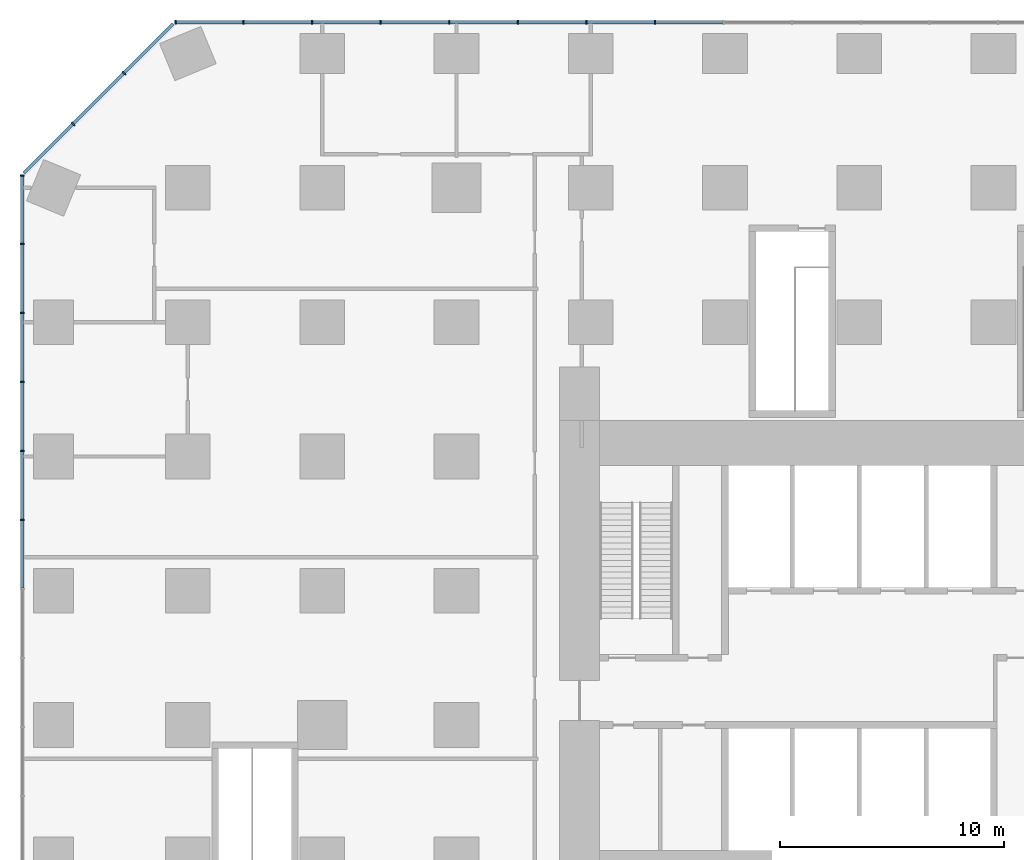
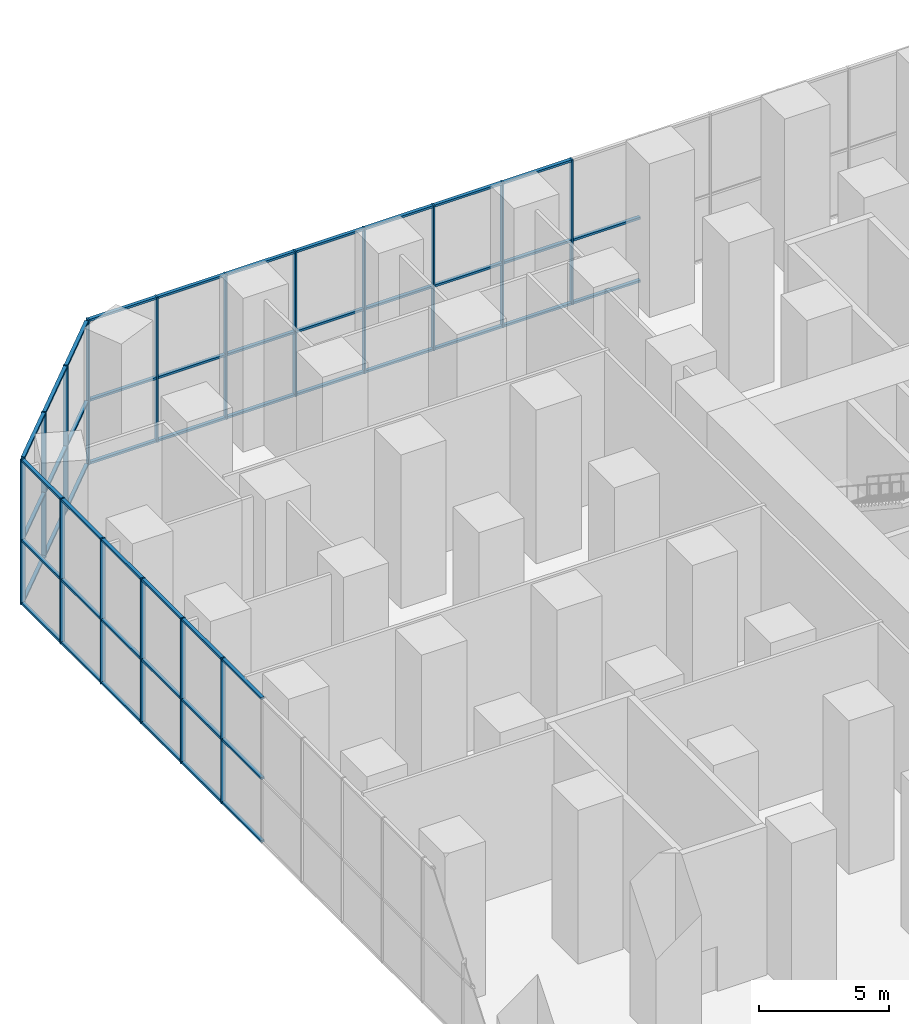
# One storey, part 5 of 16: 66 members, 3 elements without a shape of their own.
"""IFC4 building model written with IfcOpenShell, lengths in metres."""

from ifc_helpers import new_model, si_unit, direction, frame, origin, origin_2d, place, context, subcontext, project, spatial, rectangle, extrude, material, layer, layer_set, material_profile, profile_set, type_object, element, aggregate, save


model = new_model("IFC4")

# Units and contexts
model_context = context("Model", 3, precision=1e-05, world=origin(), true_north=direction((0.0, 1.0)))
body_context = subcontext(model_context, "Body", "Model", "MODEL_VIEW")
ifc_project = project(units=[si_unit("LENGTHUNIT", "METRE"), si_unit("AREAUNIT", "SQUARE_METRE"), si_unit("VOLUMEUNIT", "CUBIC_METRE"), si_unit("PLANEANGLEUNIT", "RADIAN"), si_unit("MASSUNIT", "GRAM", prefix="KILO")], contexts=[model_context])

# Site, building, storey
site_placement = place(None, origin())
site = spatial("IfcSite", under=ifc_project, at=site_placement, CompositionType="ELEMENT")
building_placement = place(site_placement, origin())
building = spatial("IfcBuilding", under=site, at=building_placement, Name="Highveld Stack Headquarters", CompositionType="ELEMENT")
storey_placement = place(building_placement, frame((0.0, 0.0, 11.0)))
storey = spatial("IfcBuildingStorey", under=building, at=storey_placement, Name="L02", CompositionType="ELEMENT", Elevation=11.0)

# Curtain wall, members
ifc_material_1 = material(Name="Aluminium bronze anodised", Category="aluminium")
ifc_layer = layer(ifc_material_1, 0.199951171875)
ifc_layer_set = layer_set([ifc_layer], Name="Aluminium bronze anodised")
curtain_wall_type = type_object("IfcCurtainWallType", Name="CW3 PODIUM STICK CURTAIN WALL", PredefinedType="NOTDEFINED", material=ifc_layer_set)
curtain_wall_1_placement = place(storey_placement, origin())
curtain_wall_1 = element("IfcCurtainWall", 1, at=curtain_wall_1_placement, inside=storey, type_object=curtain_wall_type, Name="Curtain wall CW3 L02 N", PredefinedType="NOTDEFINED")
ifc_material_2 = material(Name="Aluminium bronze anodised", Category="aluminium")
ifc_material_profile_1 = material_profile(ifc_material_2, rectangle(XDim=0.199951171875, YDim=0.06494140625, at=origin_2d()), Name="CW3 MULLION 65x200")
ifc_profile_set_1 = profile_set([ifc_material_profile_1], Name="Aluminium bronze anodised")
member_type_1 = type_object("IfcMemberType", Name="CW3 MULLION 65x200", PredefinedType="MULLION", material=ifc_profile_set_1)
member_1_placement = place(storey_placement, frame((-3.12890625, 31.39990234375, 0.0), z_axis=(0.0, 0.0, 1.0), x_axis=(0.0, -1.0, 0.0)))
member_1 = element("IfcMember", 2, at=member_1_placement, type_object=member_type_1, Name="CW3 mullion L02 12", PredefinedType="MULLION", context=body_context, shape_type="SweptSolid", body=[
    extrude(rectangle(XDim=0.199951171875, YDim=0.06494140625, at=origin_2d()), origin(), (0.0, 0.0, 1.0), 6.800048828125),
])
member_2_placement = place(storey_placement, frame((-6.193359375, 31.39990234375, 0.0), z_axis=(0.0, 0.0, 1.0), x_axis=(0.0, -1.0, 0.0)))
member_2 = element("IfcMember", 3, at=member_2_placement, type_object=member_type_1, Name="CW3 mullion L02 13", PredefinedType="MULLION", context=body_context, shape_type="SweptSolid", body=[
    extrude(rectangle(XDim=0.199951171875, YDim=0.06494140625, at=origin_2d()), origin(), (0.0, 0.0, 1.0), 6.800048828125),
])
member_3_placement = place(storey_placement, frame((-9.2578125, 31.39990234375, 0.0), z_axis=(0.0, 0.0, 1.0), x_axis=(0.0, -1.0, 0.0)))
member_3 = element("IfcMember", 4, at=member_3_placement, type_object=member_type_1, Name="CW3 mullion L02 14", PredefinedType="MULLION", context=body_context, shape_type="SweptSolid", body=[
    extrude(rectangle(XDim=0.199951171875, YDim=0.06494140625, at=origin_2d()), origin(), (0.0, 0.0, 1.0), 6.800048828125),
])
member_4_placement = place(storey_placement, frame((-12.322265625, 31.39990234375, 0.0), z_axis=(0.0, 0.0, 1.0), x_axis=(0.0, -1.0, 0.0)))
member_4 = element("IfcMember", 5, at=member_4_placement, type_object=member_type_1, Name="CW3 mullion L02 15", PredefinedType="MULLION", context=body_context, shape_type="SweptSolid", body=[
    extrude(rectangle(XDim=0.199951171875, YDim=0.06494140625, at=origin_2d()), origin(), (0.0, 0.0, 1.0), 6.800048828125),
])
member_5_placement = place(storey_placement, frame((-15.38671875, 31.39990234375, 0.0), z_axis=(0.0, 0.0, 1.0), x_axis=(0.0, -1.0, 0.0)))
member_5 = element("IfcMember", 6, at=member_5_placement, type_object=member_type_1, Name="CW3 mullion L02 16", PredefinedType="MULLION", context=body_context, shape_type="SweptSolid", body=[
    extrude(rectangle(XDim=0.199951171875, YDim=0.06494140625, at=origin_2d()), origin(), (0.0, 0.0, 1.0), 6.800048828125),
])
member_6_placement = place(storey_placement, frame((-18.450927734375, 31.39990234375, 0.0), z_axis=(0.0, 0.0, 1.0), x_axis=(0.0, -1.0, 0.0)))
member_6 = element("IfcMember", 7, at=member_6_placement, type_object=member_type_1, Name="CW3 mullion L02 17", PredefinedType="MULLION", context=body_context, shape_type="SweptSolid", body=[
    extrude(rectangle(XDim=0.199951171875, YDim=0.06494140625, at=origin_2d()), origin(), (0.0, 0.0, 1.0), 6.800048828125),
])
member_7_placement = place(storey_placement, frame((-21.515380859375, 31.39990234375, 0.0), z_axis=(0.0, 0.0, 1.0), x_axis=(0.0, -1.0, 0.0)))
member_7 = element("IfcMember", 8, at=member_7_placement, type_object=member_type_1, Name="CW3 mullion L02 18", PredefinedType="MULLION", context=body_context, shape_type="SweptSolid", body=[
    extrude(rectangle(XDim=0.199951171875, YDim=0.06494140625, at=origin_2d()), origin(), (0.0, 0.0, 1.0), 6.800048828125),
])
member_8_placement = place(storey_placement, frame((-24.54736328125, 31.39990234375, 0.0), z_axis=(0.0, 0.0, 1.0), x_axis=(0.0, -1.0, 0.0)))
member_8 = element("IfcMember", 9, at=member_8_placement, type_object=member_type_1, Name="CW3 mullion L02 19", PredefinedType="MULLION", context=body_context, shape_type="SweptSolid", body=[
    extrude(rectangle(XDim=0.199951171875, YDim=0.06494140625, at=origin_2d()), origin(), (0.0, 0.0, 1.0), 6.800048828125),
])

curtain_wall_2_placement = place(storey_placement, origin())
curtain_wall_2 = element("IfcCurtainWall", 10, at=curtain_wall_2_placement, inside=storey, type_object=curtain_wall_type, Name="Curtain wall CW3 L02 NW", PredefinedType="NOTDEFINED")
member_9_placement = place(storey_placement, frame((-26.853271484375, 29.126708984375, 0.0), z_axis=(0.0, 0.0, 1.0), x_axis=(0.707106781187, -0.707106781187, 0.0)))
member_9 = element("IfcMember", 11, at=member_9_placement, type_object=member_type_1, Name="CW3 mullion L02 1", PredefinedType="MULLION", context=body_context, shape_type="SweptSolid", body=[
    extrude(rectangle(XDim=0.199951171875, YDim=0.06494140625, at=origin_2d()), origin(), (0.0, 0.0, 1.0), 6.800048828125),
])
member_10_placement = place(storey_placement, frame((-29.126708984375, 26.853271484375, 0.0), z_axis=(0.0, 0.0, 1.0), x_axis=(0.707106781187, -0.707106781187, 0.0)))
member_10 = element("IfcMember", 12, at=member_10_placement, type_object=member_type_1, Name="CW3 mullion L02 2", PredefinedType="MULLION", context=body_context, shape_type="SweptSolid", body=[
    extrude(rectangle(XDim=0.199951171875, YDim=0.06494140625, at=origin_2d()), origin(), (0.0, 0.0, 1.0), 6.800048828125),
])

curtain_wall_3_placement = place(storey_placement, origin())
curtain_wall_3 = element("IfcCurtainWall", 13, at=curtain_wall_3_placement, inside=storey, type_object=curtain_wall_type, Name="Curtain wall CW3 L02 W", PredefinedType="NOTDEFINED")
member_11_placement = place(storey_placement, frame((-31.39990234375, 24.54736328125, 0.0), z_axis=(0.0, 0.0, 1.0), x_axis=(1.0, 0.0, 0.0)))
member_11 = element("IfcMember", 14, at=member_11_placement, type_object=member_type_1, Name="CW3 mullion L02 1", PredefinedType="MULLION", context=body_context, shape_type="SweptSolid", body=[
    extrude(rectangle(XDim=0.199951171875, YDim=0.06494140625, at=origin_2d()), origin(), (0.0, 0.0, 1.0), 6.800048828125),
])
member_12_placement = place(storey_placement, frame((-31.39990234375, 21.4970703125, 0.0), z_axis=(0.0, 0.0, 1.0), x_axis=(1.0, 0.0, 0.0)))
member_12 = element("IfcMember", 15, at=member_12_placement, type_object=member_type_1, Name="CW3 mullion L02 2", PredefinedType="MULLION", context=body_context, shape_type="SweptSolid", body=[
    extrude(rectangle(XDim=0.199951171875, YDim=0.06494140625, at=origin_2d()), origin(), (0.0, 0.0, 1.0), 6.800048828125),
])
member_13_placement = place(storey_placement, frame((-31.39990234375, 18.414306640625, 0.0), z_axis=(0.0, 0.0, 1.0), x_axis=(1.0, 0.0, 0.0)))
member_13 = element("IfcMember", 16, at=member_13_placement, type_object=member_type_1, Name="CW3 mullion L02 3", PredefinedType="MULLION", context=body_context, shape_type="SweptSolid", body=[
    extrude(rectangle(XDim=0.199951171875, YDim=0.06494140625, at=origin_2d()), origin(), (0.0, 0.0, 1.0), 6.800048828125),
])
member_14_placement = place(storey_placement, frame((-31.39990234375, 15.331298828125, 0.0), z_axis=(0.0, 0.0, 1.0), x_axis=(1.0, 0.0, 0.0)))
member_14 = element("IfcMember", 17, at=member_14_placement, type_object=member_type_1, Name="CW3 mullion L02 4", PredefinedType="MULLION", context=body_context, shape_type="SweptSolid", body=[
    extrude(rectangle(XDim=0.199951171875, YDim=0.06494140625, at=origin_2d()), origin(), (0.0, 0.0, 1.0), 6.800048828125),
])
member_15_placement = place(storey_placement, frame((-31.39990234375, 12.24853515625, 0.0), z_axis=(0.0, 0.0, 1.0), x_axis=(1.0, 0.0, 0.0)))
member_15 = element("IfcMember", 18, at=member_15_placement, type_object=member_type_1, Name="CW3 mullion L02 5", PredefinedType="MULLION", context=body_context, shape_type="SweptSolid", body=[
    extrude(rectangle(XDim=0.199951171875, YDim=0.06494140625, at=origin_2d()), origin(), (0.0, 0.0, 1.0), 6.800048828125),
])
member_16_placement = place(storey_placement, frame((-31.39990234375, 9.165771484375, 0.0), z_axis=(0.0, 0.0, 1.0), x_axis=(1.0, 0.0, 0.0)))
member_16 = element("IfcMember", 19, at=member_16_placement, type_object=member_type_1, Name="CW3 mullion L02 6", PredefinedType="MULLION", context=body_context, shape_type="SweptSolid", body=[
    extrude(rectangle(XDim=0.199951171875, YDim=0.06494140625, at=origin_2d()), origin(), (0.0, 0.0, 1.0), 6.800048828125),
])

# Member
ifc_material_3 = material(Name="Aluminium bronze anodised", Category="aluminium")
ifc_material_profile_2 = material_profile(ifc_material_3, rectangle(XDim=0.14990234375, YDim=0.10009765625, at=origin_2d()), Name="CW3 TRANSOM 150x100")
ifc_profile_set_2 = profile_set([ifc_material_profile_2], Name="Aluminium bronze anodised")
member_type_2 = type_object("IfcMemberType", Name="CW3 STACK TRANSOM 150x100", PredefinedType="USERDEFINED", material=ifc_profile_set_2)
member_17_placement = place(storey_placement, frame((-0.096923828125, 31.39990234375, 0.050048828125), z_axis=(-1.0, 0.0, 0.0), x_axis=(0.0, -1.0, 0.0)))
member_17 = element("IfcMember", 20, at=member_17_placement, type_object=member_type_2, Name="CW3 transom L02 11.1", ObjectType="TRANSOM", PredefinedType="USERDEFINED", context=body_context, shape_type="SweptSolid", body=[
    extrude(rectangle(XDim=0.14990234375, YDim=0.10009765625, at=origin_2d()), origin(), (0.0, 0.0, 1.0), 2.99951171875),
])

member_18_placement = place(storey_placement, frame((-0.096923828125, 31.39990234375, 3.0), z_axis=(-1.0, 0.0, 0.0), x_axis=(0.0, -1.0, 0.0)))
member_18 = element("IfcMember", 21, at=member_18_placement, type_object=member_type_2, Name="CW3 transom L02 11.2", ObjectType="TRANSOM", PredefinedType="USERDEFINED", context=body_context, shape_type="SweptSolid", body=[
    extrude(rectangle(XDim=0.14990234375, YDim=0.10009765625, at=origin_2d()), origin(), (0.0, 0.0, 1.0), 2.99951171875),
])

member_19_placement = place(storey_placement, frame((-3.161376953125, 31.39990234375, 0.050048828125), z_axis=(-1.0, 0.0, 0.0), x_axis=(0.0, -1.0, 0.0)))
member_19 = element("IfcMember", 22, at=member_19_placement, type_object=member_type_2, Name="CW3 transom L02 12.1", ObjectType="TRANSOM", PredefinedType="USERDEFINED", context=body_context, shape_type="SweptSolid", body=[
    extrude(rectangle(XDim=0.14990234375, YDim=0.10009765625, at=origin_2d()), origin(), (0.0, 0.0, 1.0), 2.99951171875),
])

member_20_placement = place(storey_placement, frame((-3.161376953125, 31.39990234375, 3.0), z_axis=(-1.0, 0.0, 0.0), x_axis=(0.0, -1.0, 0.0)))
member_20 = element("IfcMember", 23, at=member_20_placement, type_object=member_type_2, Name="CW3 transom L02 12.2", ObjectType="TRANSOM", PredefinedType="USERDEFINED", context=body_context, shape_type="SweptSolid", body=[
    extrude(rectangle(XDim=0.14990234375, YDim=0.10009765625, at=origin_2d()), origin(), (0.0, 0.0, 1.0), 2.99951171875),
])

member_21_placement = place(storey_placement, frame((-3.161376953125, 31.39990234375, 6.75), z_axis=(-1.0, 0.0, 0.0), x_axis=(0.0, -1.0, 0.0)))
member_21 = element("IfcMember", 24, at=member_21_placement, type_object=member_type_2, Name="CW3 transom L02 12.3", ObjectType="TRANSOM", PredefinedType="USERDEFINED", context=body_context, shape_type="SweptSolid", body=[
    extrude(rectangle(XDim=0.14990234375, YDim=0.10009765625, at=origin_2d()), origin(), (0.0, 0.0, 1.0), 2.99951171875),
])

member_22_placement = place(storey_placement, frame((-6.225830078125, 31.39990234375, 0.050048828125), z_axis=(-1.0, 0.0, 0.0), x_axis=(0.0, -1.0, 0.0)))
member_22 = element("IfcMember", 25, at=member_22_placement, type_object=member_type_2, Name="CW3 transom L02 13.1", ObjectType="TRANSOM", PredefinedType="USERDEFINED", context=body_context, shape_type="SweptSolid", body=[
    extrude(rectangle(XDim=0.14990234375, YDim=0.10009765625, at=origin_2d()), origin(), (0.0, 0.0, 1.0), 2.999267578125),
])

member_23_placement = place(storey_placement, frame((-6.225830078125, 31.39990234375, 3.0), z_axis=(-1.0, 0.0, 0.0), x_axis=(0.0, -1.0, 0.0)))
member_23 = element("IfcMember", 26, at=member_23_placement, type_object=member_type_2, Name="CW3 transom L02 13.2", ObjectType="TRANSOM", PredefinedType="USERDEFINED", context=body_context, shape_type="SweptSolid", body=[
    extrude(rectangle(XDim=0.14990234375, YDim=0.10009765625, at=origin_2d()), origin(), (0.0, 0.0, 1.0), 2.999267578125),
])

member_24_placement = place(storey_placement, frame((-6.225830078125, 31.39990234375, 6.75), z_axis=(-1.0, 0.0, 0.0), x_axis=(0.0, -1.0, 0.0)))
member_24 = element("IfcMember", 27, at=member_24_placement, type_object=member_type_2, Name="CW3 transom L02 13.3", ObjectType="TRANSOM", PredefinedType="USERDEFINED", context=body_context, shape_type="SweptSolid", body=[
    extrude(rectangle(XDim=0.14990234375, YDim=0.10009765625, at=origin_2d()), origin(), (0.0, 0.0, 1.0), 2.999267578125),
])

member_25_placement = place(storey_placement, frame((-9.290283203125, 31.39990234375, 0.050048828125), z_axis=(-1.0, 0.0, 0.0), x_axis=(0.0, -1.0, 0.0)))
member_25 = element("IfcMember", 28, at=member_25_placement, type_object=member_type_2, Name="CW3 transom L02 14.1", ObjectType="TRANSOM", PredefinedType="USERDEFINED", context=body_context, shape_type="SweptSolid", body=[
    extrude(rectangle(XDim=0.14990234375, YDim=0.10009765625, at=origin_2d()), origin(), (0.0, 0.0, 1.0), 2.99951171875),
])

member_26_placement = place(storey_placement, frame((-9.290283203125, 31.39990234375, 3.0), z_axis=(-1.0, 0.0, 0.0), x_axis=(0.0, -1.0, 0.0)))
member_26 = element("IfcMember", 29, at=member_26_placement, type_object=member_type_2, Name="CW3 transom L02 14.2", ObjectType="TRANSOM", PredefinedType="USERDEFINED", context=body_context, shape_type="SweptSolid", body=[
    extrude(rectangle(XDim=0.14990234375, YDim=0.10009765625, at=origin_2d()), origin(), (0.0, 0.0, 1.0), 2.99951171875),
])

member_27_placement = place(storey_placement, frame((-9.290283203125, 31.39990234375, 6.75), z_axis=(-1.0, 0.0, 0.0), x_axis=(0.0, -1.0, 0.0)))
member_27 = element("IfcMember", 30, at=member_27_placement, type_object=member_type_2, Name="CW3 transom L02 14.3", ObjectType="TRANSOM", PredefinedType="USERDEFINED", context=body_context, shape_type="SweptSolid", body=[
    extrude(rectangle(XDim=0.14990234375, YDim=0.10009765625, at=origin_2d()), origin(), (0.0, 0.0, 1.0), 2.99951171875),
])

member_28_placement = place(storey_placement, frame((-12.354736328125, 31.39990234375, 0.050048828125), z_axis=(-1.0, 0.0, 0.0), x_axis=(0.0, -1.0, 0.0)))
member_28 = element("IfcMember", 31, at=member_28_placement, type_object=member_type_2, Name="CW3 transom L02 15.1", ObjectType="TRANSOM", PredefinedType="USERDEFINED", context=body_context, shape_type="SweptSolid", body=[
    extrude(rectangle(XDim=0.14990234375, YDim=0.10009765625, at=origin_2d()), origin(), (0.0, 0.0, 1.0), 2.999267578125),
])

member_29_placement = place(storey_placement, frame((-12.354736328125, 31.39990234375, 3.0), z_axis=(-1.0, 0.0, 0.0), x_axis=(0.0, -1.0, 0.0)))
member_29 = element("IfcMember", 32, at=member_29_placement, type_object=member_type_2, Name="CW3 transom L02 15.2", ObjectType="TRANSOM", PredefinedType="USERDEFINED", context=body_context, shape_type="SweptSolid", body=[
    extrude(rectangle(XDim=0.14990234375, YDim=0.10009765625, at=origin_2d()), origin(), (0.0, 0.0, 1.0), 2.999267578125),
])

member_30_placement = place(storey_placement, frame((-12.354736328125, 31.39990234375, 6.75), z_axis=(-1.0, 0.0, 0.0), x_axis=(0.0, -1.0, 0.0)))
member_30 = element("IfcMember", 33, at=member_30_placement, type_object=member_type_2, Name="CW3 transom L02 15.3", ObjectType="TRANSOM", PredefinedType="USERDEFINED", context=body_context, shape_type="SweptSolid", body=[
    extrude(rectangle(XDim=0.14990234375, YDim=0.10009765625, at=origin_2d()), origin(), (0.0, 0.0, 1.0), 2.999267578125),
])

member_31_placement = place(storey_placement, frame((-15.419189453125, 31.39990234375, 0.050048828125), z_axis=(-1.0, 0.0, 0.0), x_axis=(0.0, -1.0, 0.0)))
member_31 = element("IfcMember", 34, at=member_31_placement, type_object=member_type_2, Name="CW3 transom L02 16.1", ObjectType="TRANSOM", PredefinedType="USERDEFINED", context=body_context, shape_type="SweptSolid", body=[
    extrude(rectangle(XDim=0.14990234375, YDim=0.10009765625, at=origin_2d()), origin(), (0.0, 0.0, 1.0), 2.999267578125),
])

member_32_placement = place(storey_placement, frame((-15.419189453125, 31.39990234375, 3.0), z_axis=(-1.0, 0.0, 0.0), x_axis=(0.0, -1.0, 0.0)))
member_32 = element("IfcMember", 35, at=member_32_placement, type_object=member_type_2, Name="CW3 transom L02 16.2", ObjectType="TRANSOM", PredefinedType="USERDEFINED", context=body_context, shape_type="SweptSolid", body=[
    extrude(rectangle(XDim=0.14990234375, YDim=0.10009765625, at=origin_2d()), origin(), (0.0, 0.0, 1.0), 2.999267578125),
])

member_33_placement = place(storey_placement, frame((-15.419189453125, 31.39990234375, 6.75), z_axis=(-1.0, 0.0, 0.0), x_axis=(0.0, -1.0, 0.0)))
member_33 = element("IfcMember", 36, at=member_33_placement, type_object=member_type_2, Name="CW3 transom L02 16.3", ObjectType="TRANSOM", PredefinedType="USERDEFINED", context=body_context, shape_type="SweptSolid", body=[
    extrude(rectangle(XDim=0.14990234375, YDim=0.10009765625, at=origin_2d()), origin(), (0.0, 0.0, 1.0), 2.999267578125),
])

member_34_placement = place(storey_placement, frame((-18.4833984375, 31.39990234375, 0.050048828125), z_axis=(-1.0, 0.0, 0.0), x_axis=(0.0, -1.0, 0.0)))
member_34 = element("IfcMember", 37, at=member_34_placement, type_object=member_type_2, Name="CW3 transom L02 17.1", ObjectType="TRANSOM", PredefinedType="USERDEFINED", context=body_context, shape_type="SweptSolid", body=[
    extrude(rectangle(XDim=0.14990234375, YDim=0.10009765625, at=origin_2d()), origin(), (0.0, 0.0, 1.0), 2.99951171875),
])

member_35_placement = place(storey_placement, frame((-18.4833984375, 31.39990234375, 3.0), z_axis=(-1.0, 0.0, 0.0), x_axis=(0.0, -1.0, 0.0)))
member_35 = element("IfcMember", 38, at=member_35_placement, type_object=member_type_2, Name="CW3 transom L02 17.2", ObjectType="TRANSOM", PredefinedType="USERDEFINED", context=body_context, shape_type="SweptSolid", body=[
    extrude(rectangle(XDim=0.14990234375, YDim=0.10009765625, at=origin_2d()), origin(), (0.0, 0.0, 1.0), 2.99951171875),
])

member_36_placement = place(storey_placement, frame((-18.4833984375, 31.39990234375, 6.75), z_axis=(-1.0, 0.0, 0.0), x_axis=(0.0, -1.0, 0.0)))
member_36 = element("IfcMember", 39, at=member_36_placement, type_object=member_type_2, Name="CW3 transom L02 17.3", ObjectType="TRANSOM", PredefinedType="USERDEFINED", context=body_context, shape_type="SweptSolid", body=[
    extrude(rectangle(XDim=0.14990234375, YDim=0.10009765625, at=origin_2d()), origin(), (0.0, 0.0, 1.0), 2.99951171875),
])

member_37_placement = place(storey_placement, frame((-21.548095703125, 31.39990234375, 0.050048828125), z_axis=(-1.0, 0.0, 0.0), x_axis=(0.0, -1.0, 0.0)))
member_37 = element("IfcMember", 40, at=member_37_placement, type_object=member_type_2, Name="CW3 transom L02 18.1", ObjectType="TRANSOM", PredefinedType="USERDEFINED", context=body_context, shape_type="SweptSolid", body=[
    extrude(rectangle(XDim=0.14990234375, YDim=0.10009765625, at=origin_2d()), origin(), (0.0, 0.0, 1.0), 2.966796875),
])

member_38_placement = place(storey_placement, frame((-21.548095703125, 31.39990234375, 3.0), z_axis=(-1.0, 0.0, 0.0), x_axis=(0.0, -1.0, 0.0)))
member_38 = element("IfcMember", 41, at=member_38_placement, type_object=member_type_2, Name="CW3 transom L02 18.2", ObjectType="TRANSOM", PredefinedType="USERDEFINED", context=body_context, shape_type="SweptSolid", body=[
    extrude(rectangle(XDim=0.14990234375, YDim=0.10009765625, at=origin_2d()), origin(), (0.0, 0.0, 1.0), 2.966796875),
])

member_39_placement = place(storey_placement, frame((-21.548095703125, 31.39990234375, 6.75), z_axis=(-1.0, 0.0, 0.0), x_axis=(0.0, -1.0, 0.0)))
member_39 = element("IfcMember", 42, at=member_39_placement, type_object=member_type_2, Name="CW3 transom L02 18.3", ObjectType="TRANSOM", PredefinedType="USERDEFINED", context=body_context, shape_type="SweptSolid", body=[
    extrude(rectangle(XDim=0.14990234375, YDim=0.10009765625, at=origin_2d()), origin(), (0.0, 0.0, 1.0), 2.966796875),
])

aggregate(curtain_wall_1, [member_1, member_2, member_3, member_4, member_5, member_6, member_7, member_8, member_17, member_18, member_19, member_20, member_21, member_22, member_23, member_24, member_25, member_26, member_27, member_28, member_29, member_30, member_31, member_32, member_33, member_34, member_35, member_36, member_37, member_38, member_39])

member_40_placement = place(storey_placement, frame((-24.650634765625, 31.329345703125, 0.050048828125), z_axis=(-0.707106781187, -0.707106781187, 0.0), x_axis=(0.707106781187, -0.707106781187, 0.0)))
member_40 = element("IfcMember", 43, at=member_40_placement, type_object=member_type_2, Name="CW3 transom L02 1.1", ObjectType="TRANSOM", PredefinedType="USERDEFINED", context=body_context, shape_type="SweptSolid", body=[
    extrude(rectangle(XDim=0.14990234375, YDim=0.10009765625, at=origin_2d()), origin(), (0.0, 0.0, 1.0), 3.08251953125),
])

member_41_placement = place(storey_placement, frame((-24.650634765625, 31.329345703125, 3.0), z_axis=(-0.707106781187, -0.707106781187, 0.0), x_axis=(0.707106781187, -0.707106781187, 0.0)))
member_41 = element("IfcMember", 44, at=member_41_placement, type_object=member_type_2, Name="CW3 transom L02 1.2", ObjectType="TRANSOM", PredefinedType="USERDEFINED", context=body_context, shape_type="SweptSolid", body=[
    extrude(rectangle(XDim=0.14990234375, YDim=0.10009765625, at=origin_2d()), origin(), (0.0, 0.0, 1.0), 3.08251953125),
])

member_42_placement = place(storey_placement, frame((-24.650634765625, 31.329345703125, 6.75), z_axis=(-0.707106781187, -0.707106781187, 0.0), x_axis=(0.707106781187, -0.707106781187, 0.0)))
member_42 = element("IfcMember", 45, at=member_42_placement, type_object=member_type_2, Name="CW3 transom L02 1.3", ObjectType="TRANSOM", PredefinedType="USERDEFINED", context=body_context, shape_type="SweptSolid", body=[
    extrude(rectangle(XDim=0.14990234375, YDim=0.10009765625, at=origin_2d()), origin(), (0.0, 0.0, 1.0), 3.08251953125),
])

member_43_placement = place(storey_placement, frame((-26.876220703125, 29.103759765625, 0.050048828125), z_axis=(-0.707106781187, -0.707106781187, 0.0), x_axis=(0.707106781187, -0.707106781187, 0.0)))
member_43 = element("IfcMember", 46, at=member_43_placement, type_object=member_type_2, Name="CW3 transom L02 2.1", ObjectType="TRANSOM", PredefinedType="USERDEFINED", context=body_context, shape_type="SweptSolid", body=[
    extrude(rectangle(XDim=0.14990234375, YDim=0.10009765625, at=origin_2d()), origin(), (0.0, 0.0, 1.0), 3.150146484375),
])

member_44_placement = place(storey_placement, frame((-26.876220703125, 29.103759765625, 3.0), z_axis=(-0.707106781187, -0.707106781187, 0.0), x_axis=(0.707106781187, -0.707106781187, 0.0)))
member_44 = element("IfcMember", 47, at=member_44_placement, type_object=member_type_2, Name="CW3 transom L02 2.2", ObjectType="TRANSOM", PredefinedType="USERDEFINED", context=body_context, shape_type="SweptSolid", body=[
    extrude(rectangle(XDim=0.14990234375, YDim=0.10009765625, at=origin_2d()), origin(), (0.0, 0.0, 1.0), 3.150146484375),
])

member_45_placement = place(storey_placement, frame((-26.876220703125, 29.103759765625, 6.75), z_axis=(-0.707106781187, -0.707106781187, 0.0), x_axis=(0.707106781187, -0.707106781187, 0.0)))
member_45 = element("IfcMember", 48, at=member_45_placement, type_object=member_type_2, Name="CW3 transom L02 2.3", ObjectType="TRANSOM", PredefinedType="USERDEFINED", context=body_context, shape_type="SweptSolid", body=[
    extrude(rectangle(XDim=0.14990234375, YDim=0.10009765625, at=origin_2d()), origin(), (0.0, 0.0, 1.0), 3.150146484375),
])

member_46_placement = place(storey_placement, frame((-29.149658203125, 26.830322265625, 0.050048828125), z_axis=(-0.707106781187, -0.707106781187, 0.0), x_axis=(0.707106781187, -0.707106781187, 0.0)))
member_46 = element("IfcMember", 49, at=member_46_placement, type_object=member_type_2, Name="CW3 transom L02 3.1", ObjectType="TRANSOM", PredefinedType="USERDEFINED", context=body_context, shape_type="SweptSolid", body=[
    extrude(rectangle(XDim=0.14990234375, YDim=0.10009765625, at=origin_2d()), origin(), (0.0, 0.0, 1.0), 3.08251953125),
])

member_47_placement = place(storey_placement, frame((-29.149658203125, 26.830322265625, 3.0), z_axis=(-0.707106781187, -0.707106781187, 0.0), x_axis=(0.707106781187, -0.707106781187, 0.0)))
member_47 = element("IfcMember", 50, at=member_47_placement, type_object=member_type_2, Name="CW3 transom L02 3.2", ObjectType="TRANSOM", PredefinedType="USERDEFINED", context=body_context, shape_type="SweptSolid", body=[
    extrude(rectangle(XDim=0.14990234375, YDim=0.10009765625, at=origin_2d()), origin(), (0.0, 0.0, 1.0), 3.08251953125),
])

member_48_placement = place(storey_placement, frame((-29.149658203125, 26.830322265625, 6.75), z_axis=(-0.707106781187, -0.707106781187, 0.0), x_axis=(0.707106781187, -0.707106781187, 0.0)))
member_48 = element("IfcMember", 51, at=member_48_placement, type_object=member_type_2, Name="CW3 transom L02 3.3", ObjectType="TRANSOM", PredefinedType="USERDEFINED", context=body_context, shape_type="SweptSolid", body=[
    extrude(rectangle(XDim=0.14990234375, YDim=0.10009765625, at=origin_2d()), origin(), (0.0, 0.0, 1.0), 3.08251953125),
])

aggregate(curtain_wall_2, [member_9, member_10, member_40, member_41, member_42, member_43, member_44, member_45, member_46, member_47, member_48])

member_49_placement = place(storey_placement, frame((-31.39990234375, 24.514892578125, 0.050048828125), z_axis=(0.0, -1.0, 0.0), x_axis=(1.0, 0.0, 0.0)))
member_49 = element("IfcMember", 52, at=member_49_placement, type_object=member_type_2, Name="CW3 transom L02 1.1", ObjectType="TRANSOM", PredefinedType="USERDEFINED", context=body_context, shape_type="SweptSolid", body=[
    extrude(rectangle(XDim=0.14990234375, YDim=0.10009765625, at=origin_2d()), origin(), (0.0, 0.0, 1.0), 2.9853515625),
])

member_50_placement = place(storey_placement, frame((-31.39990234375, 24.514892578125, 3.0), z_axis=(0.0, -1.0, 0.0), x_axis=(1.0, 0.0, 0.0)))
member_50 = element("IfcMember", 53, at=member_50_placement, type_object=member_type_2, Name="CW3 transom L02 1.2", ObjectType="TRANSOM", PredefinedType="USERDEFINED", context=body_context, shape_type="SweptSolid", body=[
    extrude(rectangle(XDim=0.14990234375, YDim=0.10009765625, at=origin_2d()), origin(), (0.0, 0.0, 1.0), 2.9853515625),
])

member_51_placement = place(storey_placement, frame((-31.39990234375, 24.514892578125, 6.75), z_axis=(0.0, -1.0, 0.0), x_axis=(1.0, 0.0, 0.0)))
member_51 = element("IfcMember", 54, at=member_51_placement, type_object=member_type_2, Name="CW3 transom L02 1.3", ObjectType="TRANSOM", PredefinedType="USERDEFINED", context=body_context, shape_type="SweptSolid", body=[
    extrude(rectangle(XDim=0.14990234375, YDim=0.10009765625, at=origin_2d()), origin(), (0.0, 0.0, 1.0), 2.9853515625),
])

member_52_placement = place(storey_placement, frame((-31.39990234375, 21.464599609375, 0.050048828125), z_axis=(0.0, -1.0, 0.0), x_axis=(1.0, 0.0, 0.0)))
member_52 = element("IfcMember", 55, at=member_52_placement, type_object=member_type_2, Name="CW3 transom L02 2.1", ObjectType="TRANSOM", PredefinedType="USERDEFINED", context=body_context, shape_type="SweptSolid", body=[
    extrude(rectangle(XDim=0.14990234375, YDim=0.10009765625, at=origin_2d()), origin(), (0.0, 0.0, 1.0), 3.017822265625),
])

member_53_placement = place(storey_placement, frame((-31.39990234375, 21.464599609375, 3.0), z_axis=(0.0, -1.0, 0.0), x_axis=(1.0, 0.0, 0.0)))
member_53 = element("IfcMember", 56, at=member_53_placement, type_object=member_type_2, Name="CW3 transom L02 2.2", ObjectType="TRANSOM", PredefinedType="USERDEFINED", context=body_context, shape_type="SweptSolid", body=[
    extrude(rectangle(XDim=0.14990234375, YDim=0.10009765625, at=origin_2d()), origin(), (0.0, 0.0, 1.0), 3.017822265625),
])

member_54_placement = place(storey_placement, frame((-31.39990234375, 21.464599609375, 6.75), z_axis=(0.0, -1.0, 0.0), x_axis=(1.0, 0.0, 0.0)))
member_54 = element("IfcMember", 57, at=member_54_placement, type_object=member_type_2, Name="CW3 transom L02 2.3", ObjectType="TRANSOM", PredefinedType="USERDEFINED", context=body_context, shape_type="SweptSolid", body=[
    extrude(rectangle(XDim=0.14990234375, YDim=0.10009765625, at=origin_2d()), origin(), (0.0, 0.0, 1.0), 3.017822265625),
])

member_55_placement = place(storey_placement, frame((-31.39990234375, 18.381591796875, 0.050048828125), z_axis=(0.0, -1.0, 0.0), x_axis=(1.0, 0.0, 0.0)))
member_55 = element("IfcMember", 58, at=member_55_placement, type_object=member_type_2, Name="CW3 transom L02 3.1", ObjectType="TRANSOM", PredefinedType="USERDEFINED", context=body_context, shape_type="SweptSolid", body=[
    extrude(rectangle(XDim=0.14990234375, YDim=0.10009765625, at=origin_2d()), origin(), (0.0, 0.0, 1.0), 3.017578125),
])

member_56_placement = place(storey_placement, frame((-31.39990234375, 18.381591796875, 3.0), z_axis=(0.0, -1.0, 0.0), x_axis=(1.0, 0.0, 0.0)))
member_56 = element("IfcMember", 59, at=member_56_placement, type_object=member_type_2, Name="CW3 transom L02 3.2", ObjectType="TRANSOM", PredefinedType="USERDEFINED", context=body_context, shape_type="SweptSolid", body=[
    extrude(rectangle(XDim=0.14990234375, YDim=0.10009765625, at=origin_2d()), origin(), (0.0, 0.0, 1.0), 3.017578125),
])

member_57_placement = place(storey_placement, frame((-31.39990234375, 18.381591796875, 6.75), z_axis=(0.0, -1.0, 0.0), x_axis=(1.0, 0.0, 0.0)))
member_57 = element("IfcMember", 60, at=member_57_placement, type_object=member_type_2, Name="CW3 transom L02 3.3", ObjectType="TRANSOM", PredefinedType="USERDEFINED", context=body_context, shape_type="SweptSolid", body=[
    extrude(rectangle(XDim=0.14990234375, YDim=0.10009765625, at=origin_2d()), origin(), (0.0, 0.0, 1.0), 3.017578125),
])

member_58_placement = place(storey_placement, frame((-31.39990234375, 15.298828125, 0.050048828125), z_axis=(0.0, -1.0, 0.0), x_axis=(1.0, 0.0, 0.0)))
member_58 = element("IfcMember", 61, at=member_58_placement, type_object=member_type_2, Name="CW3 transom L02 4.1", ObjectType="TRANSOM", PredefinedType="USERDEFINED", context=body_context, shape_type="SweptSolid", body=[
    extrude(rectangle(XDim=0.14990234375, YDim=0.10009765625, at=origin_2d()), origin(), (0.0, 0.0, 1.0), 3.017822265625),
])

member_59_placement = place(storey_placement, frame((-31.39990234375, 15.298828125, 3.0), z_axis=(0.0, -1.0, 0.0), x_axis=(1.0, 0.0, 0.0)))
member_59 = element("IfcMember", 62, at=member_59_placement, type_object=member_type_2, Name="CW3 transom L02 4.2", ObjectType="TRANSOM", PredefinedType="USERDEFINED", context=body_context, shape_type="SweptSolid", body=[
    extrude(rectangle(XDim=0.14990234375, YDim=0.10009765625, at=origin_2d()), origin(), (0.0, 0.0, 1.0), 3.017822265625),
])

member_60_placement = place(storey_placement, frame((-31.39990234375, 15.298828125, 6.75), z_axis=(0.0, -1.0, 0.0), x_axis=(1.0, 0.0, 0.0)))
member_60 = element("IfcMember", 63, at=member_60_placement, type_object=member_type_2, Name="CW3 transom L02 4.3", ObjectType="TRANSOM", PredefinedType="USERDEFINED", context=body_context, shape_type="SweptSolid", body=[
    extrude(rectangle(XDim=0.14990234375, YDim=0.10009765625, at=origin_2d()), origin(), (0.0, 0.0, 1.0), 3.017822265625),
])

member_61_placement = place(storey_placement, frame((-31.39990234375, 12.216064453125, 0.050048828125), z_axis=(0.0, -1.0, 0.0), x_axis=(1.0, 0.0, 0.0)))
member_61 = element("IfcMember", 64, at=member_61_placement, type_object=member_type_2, Name="CW3 transom L02 5.1", ObjectType="TRANSOM", PredefinedType="USERDEFINED", context=body_context, shape_type="SweptSolid", body=[
    extrude(rectangle(XDim=0.14990234375, YDim=0.10009765625, at=origin_2d()), origin(), (0.0, 0.0, 1.0), 3.017822265625),
])

member_62_placement = place(storey_placement, frame((-31.39990234375, 12.216064453125, 3.0), z_axis=(0.0, -1.0, 0.0), x_axis=(1.0, 0.0, 0.0)))
member_62 = element("IfcMember", 65, at=member_62_placement, type_object=member_type_2, Name="CW3 transom L02 5.2", ObjectType="TRANSOM", PredefinedType="USERDEFINED", context=body_context, shape_type="SweptSolid", body=[
    extrude(rectangle(XDim=0.14990234375, YDim=0.10009765625, at=origin_2d()), origin(), (0.0, 0.0, 1.0), 3.017822265625),
])

member_63_placement = place(storey_placement, frame((-31.39990234375, 12.216064453125, 6.75), z_axis=(0.0, -1.0, 0.0), x_axis=(1.0, 0.0, 0.0)))
member_63 = element("IfcMember", 66, at=member_63_placement, type_object=member_type_2, Name="CW3 transom L02 5.3", ObjectType="TRANSOM", PredefinedType="USERDEFINED", context=body_context, shape_type="SweptSolid", body=[
    extrude(rectangle(XDim=0.14990234375, YDim=0.10009765625, at=origin_2d()), origin(), (0.0, 0.0, 1.0), 3.017822265625),
])

member_64_placement = place(storey_placement, frame((-31.39990234375, 9.13330078125, 0.050048828125), z_axis=(0.0, -1.0, 0.0), x_axis=(1.0, 0.0, 0.0)))
member_64 = element("IfcMember", 67, at=member_64_placement, type_object=member_type_2, Name="CW3 transom L02 6.1", ObjectType="TRANSOM", PredefinedType="USERDEFINED", context=body_context, shape_type="SweptSolid", body=[
    extrude(rectangle(XDim=0.14990234375, YDim=0.10009765625, at=origin_2d()), origin(), (0.0, 0.0, 1.0), 3.01806640625),
])

member_65_placement = place(storey_placement, frame((-31.39990234375, 9.13330078125, 3.0), z_axis=(0.0, -1.0, 0.0), x_axis=(1.0, 0.0, 0.0)))
member_65 = element("IfcMember", 68, at=member_65_placement, type_object=member_type_2, Name="CW3 transom L02 6.2", ObjectType="TRANSOM", PredefinedType="USERDEFINED", context=body_context, shape_type="SweptSolid", body=[
    extrude(rectangle(XDim=0.14990234375, YDim=0.10009765625, at=origin_2d()), origin(), (0.0, 0.0, 1.0), 3.01806640625),
])

member_66_placement = place(storey_placement, frame((-31.39990234375, 9.13330078125, 6.75), z_axis=(0.0, -1.0, 0.0), x_axis=(1.0, 0.0, 0.0)))
member_66 = element("IfcMember", 69, at=member_66_placement, type_object=member_type_2, Name="CW3 transom L02 6.3", ObjectType="TRANSOM", PredefinedType="USERDEFINED", context=body_context, shape_type="SweptSolid", body=[
    extrude(rectangle(XDim=0.14990234375, YDim=0.10009765625, at=origin_2d()), origin(), (0.0, 0.0, 1.0), 3.01806640625),
])

aggregate(curtain_wall_3, [member_11, member_12, member_13, member_14, member_15, member_16, member_49, member_50, member_51, member_52, member_53, member_54, member_55, member_56, member_57, member_58, member_59, member_60, member_61, member_62, member_63, member_64, member_65, member_66])

save(model, "model.ifc")
